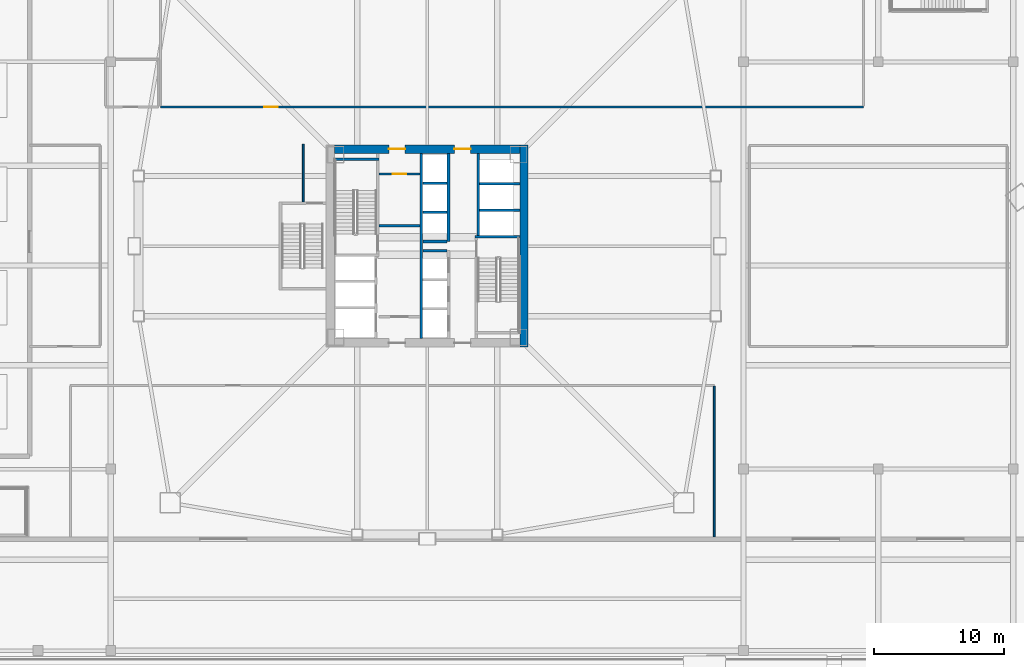
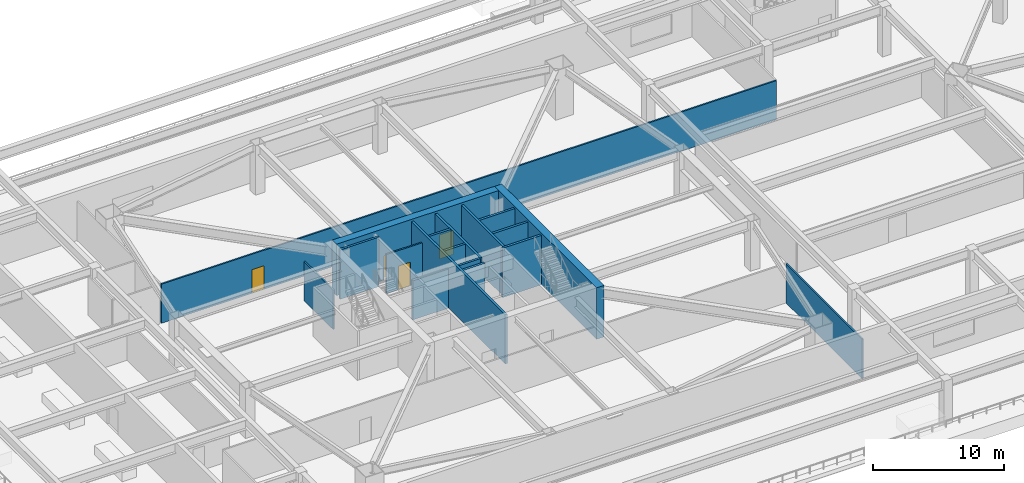
# One storey, part 7 of 21: 18 walls, 4 doors, 4 openings.
"""IFC4 building model written with IfcOpenShell, lengths in metres."""

from ifc_helpers import new_model, si_unit, direction, frame, frame_2d, origin, place, context, subcontext, project, spatial, rectangle, extrude, material, layer, layer_set, type_object, element, fill, save


model = new_model("IFC4")

# Units and contexts
model_context = context("Model", 3, precision=1e-05, world=origin(), true_north=direction((0.0, 1.0)))
body_context = subcontext(model_context, "Body", "Model", "MODEL_VIEW")
ifc_project = project(units=[si_unit("LENGTHUNIT", "METRE"), si_unit("AREAUNIT", "SQUARE_METRE"), si_unit("VOLUMEUNIT", "CUBIC_METRE"), si_unit("PLANEANGLEUNIT", "RADIAN"), si_unit("MASSUNIT", "GRAM", prefix="KILO")], contexts=[model_context])

# Site, building, storey
site_placement = place(None, origin())
site = spatial("IfcSite", under=ifc_project, at=site_placement, CompositionType="ELEMENT")
building_placement = place(site_placement, origin())
building = spatial("IfcBuilding", under=site, at=building_placement, Name="Tashvorn Skyway Center", CompositionType="ELEMENT")
storey_placement = place(building_placement, frame((0.0, 0.0, 19.800048828125)))
storey = spatial("IfcBuildingStorey", under=building, at=storey_placement, Name="L04", CompositionType="ELEMENT", Elevation=19.800048828125)

# Wall
ifc_material_1 = material(Name="Concrete C60/75", Category="concrete")
ifc_layer_1 = layer(ifc_material_1, 0.64990234375)
ifc_layer_set_1 = layer_set([ifc_layer_1], Name="Concrete C60/75")
wall_type_1 = type_object("IfcWallType", Name="WALL-CORE-650", PredefinedType="SHEAR", material=ifc_layer_set_1)
wall_1_placement = place(storey_placement, frame((49.47509765625, 39.800048828125, 0.0), z_axis=(0.0, 0.0, 1.0), x_axis=(0.0, -1.0, 0.0)))
element("IfcWall", 1, at=wall_1_placement, inside=storey, type_object=wall_type_1, Name="Tower 1 L04 East Core Shear Wall", PredefinedType="SHEAR", context=body_context, shape_type="SweptSolid", body=[
    extrude(rectangle(XDim=15.60009765625, YDim=0.64990234375, at=frame_2d((7.800048828125, 0.0))), origin(), (0.0, 0.0, 1.0), 4.800048828125),
])

# Wall, openings, doors
wall_2_placement = place(storey_placement, frame((34.85009765625, 39.47509765625, 0.0), z_axis=(0.0, 0.0, 1.0), x_axis=(1.0, 0.0, 0.0)))
wall_2 = element("IfcWall", 2, at=wall_2_placement, inside=storey, type_object=wall_type_1, Name="Tower 1 L04 North Core Shear Wall", PredefinedType="SHEAR", context=body_context, shape_type="SweptSolid", body=[
    extrude(rectangle(XDim=14.2998046875, YDim=0.64990234375, at=frame_2d((7.14990234375, 0.0))), origin(), (0.0, 0.0, 1.0), 4.800048828125),
])
opening_1_placement = place(wall_2_placement, frame((4.199951171875, 0.0, 0.0)))
opening_1 = element("IfcOpeningElement", 3, at=opening_1_placement, cuts=wall_2, Name="Opening D-FFL-1250", PredefinedType="OPENING", context=body_context, shape_type="SweptSolid", body=[
    extrude(rectangle(XDim=1.25, YDim=2.25, at=frame_2d((0.625, 1.125))), frame((0.0, 0.3349609375, 0.0), z_axis=(0.0, -1.0, 0.0), x_axis=(1.0, 0.0, 0.0)), (0.0, 0.0, 1.0), 0.669921875),
])
opening_2_placement = place(wall_2_placement, frame((9.25, 0.0, 0.0)))
opening_2 = element("IfcOpeningElement", 4, at=opening_2_placement, cuts=wall_2, Name="Opening D-FFL-1250", PredefinedType="OPENING", context=body_context, shape_type="SweptSolid", body=[
    extrude(rectangle(XDim=1.25, YDim=2.25, at=frame_2d((0.625, 1.125))), frame((0.0, 0.3349609375, 0.0), z_axis=(0.0, -1.0, 0.0), x_axis=(1.0, 0.0, 0.0)), (0.0, 0.0, 1.0), 0.669921875),
])
ifc_material_2 = material(Name="Hollow galvanized steel fire door assembly", Category="steel")
door_type_1 = type_object("IfcDoorType", Name="DOOR-FFL-1250", OperationType="NOTDEFINED", PredefinedType="DOOR", material=ifc_material_2)
door_1_placement = place(opening_1_placement, origin())
door_1 = element("IfcDoor", 5, at=door_1_placement, inside=storey, type_object=door_type_1, Name="Tower 1 L04 Core North Service Lobby Door", OperationType="SINGLE_SWING_LEFT", OverallHeight=2.25, OverallWidth=1.25, PredefinedType="DOOR", context=body_context, shape_type="SweptSolid", body=[
    extrude(rectangle(XDim=1.25, YDim=2.25, at=frame_2d((0.625, 1.125))), frame((0.0, 0.02490234375, 0.0), z_axis=(0.0, -1.0, 0.0), x_axis=(1.0, 0.0, 0.0)), (0.0, 0.0, 1.0), 0.050048828125),
])
fill(opening_1, door_1)
door_2_placement = place(opening_2_placement, origin())
door_2 = element("IfcDoor", 6, at=door_2_placement, inside=storey, type_object=door_type_1, Name="Tower 1 L04 Core North Lift Lobby Door", OperationType="SINGLE_SWING_RIGHT", OverallHeight=2.25, OverallWidth=1.25, PredefinedType="DOOR", context=body_context, shape_type="SweptSolid", body=[
    extrude(rectangle(XDim=1.25, YDim=2.25, at=frame_2d((0.625, 1.125))), frame((0.0, 0.02490234375, 0.0), z_axis=(0.0, -1.0, 0.0), x_axis=(1.0, 0.0, 0.0)), (0.0, 0.0, 1.0), 0.050048828125),
])
fill(opening_2, door_2)

# Walls
ifc_material_3 = material(Name="Concrete C40/50", Category="concrete")
ifc_layer_2 = layer(ifc_material_3, 0.219970703125)
ifc_layer_set_2 = layer_set([ifc_layer_2], Name="Concrete C40/50")
wall_type_2 = type_object("IfcWallType", Name="WALL-FFL-220", PredefinedType="SOLIDWALL", material=ifc_layer_set_2)
wall_3_placement = place(storey_placement, frame((38.300048828125, 33.56005859375, 0.0), z_axis=(0.0, 0.0, 1.0), x_axis=(1.0, 0.0, 0.0)))
element("IfcWall", 7, at=wall_3_placement, inside=storey, type_object=wall_type_2, Name="Tower 1 L04 Firefighting Lobby North Wall", PredefinedType="SOLIDWALL", context=body_context, shape_type="SweptSolid", body=[
    extrude(rectangle(XDim=3.14990234375, YDim=0.219970703125, at=frame_2d((1.574951171875, 0.0))), origin(), (0.0, 0.0, 1.0), 3.64306640625),
])
ifc_material_4 = material(Name="Gypsum board on cold-formed steel stud framing", Category="steel")
ifc_layer_3 = layer(ifc_material_4, 0.135009765625)
ifc_layer_set_3 = layer_set([ifc_layer_3], Name="Gypsum board on cold-formed steel stud framing")
wall_type_3 = type_object("IfcWallType", Name="WALL-PART-135", PredefinedType="PARTITIONING", material=ifc_layer_set_3)
wall_4_placement = place(storey_placement, frame((32.449951171875, 35.39990234375, 0.0), z_axis=(0.0, 0.0, 1.0), x_axis=(0.0, 1.0, 0.0)))
element("IfcWall", 8, at=wall_4_placement, inside=storey, type_object=wall_type_3, Name="Tower 1 L04 Stair 3 Access Corridor Wall", PredefinedType="PARTITIONING", context=body_context, shape_type="SweptSolid", body=[
    extrude(rectangle(XDim=4.4501953125, YDim=0.135009765625, at=frame_2d((2.22509765625, 0.0))), origin(), (0.0, 0.0, 1.0), 3.64306640625),
])

# Wall, opening, door
wall_5_placement = place(storey_placement, frame((21.449951171875, 42.719970703125, 0.0), z_axis=(0.0, 0.0, 1.0), x_axis=(1.0, 0.0, 0.0)))
wall_5 = element("IfcWall", 9, at=wall_5_placement, inside=storey, type_object=wall_type_3, Name="L04 North Suite Wall", PredefinedType="PARTITIONING", context=body_context, shape_type="SweptSolid", body=[
    extrude(rectangle(XDim=54.199951171875, YDim=0.135009765625, at=frame_2d((27.10009765625, 0.0))), origin(), (0.0, 0.0, 1.0), 3.64306640625),
])
opening_3_placement = place(wall_5_placement, frame((8.0, 0.0, 0.0)))
opening_3 = element("IfcOpeningElement", 10, at=opening_3_placement, cuts=wall_5, Name="Opening D-ACC-1050", PredefinedType="OPENING", context=body_context, shape_type="SweptSolid", body=[
    extrude(rectangle(XDim=1.050048828125, YDim=2.199951171875, at=frame_2d((0.52490234375, 1.10009765625))), frame((0.0, 0.077392578125, 0.0), z_axis=(0.0, -1.0, 0.0), x_axis=(1.0, 0.0, 0.0)), (0.0, 0.0, 1.0), 0.155029296875),
])
ifc_material_5 = material(Name="Solid-core architectural oak veneer door")
door_type_2 = type_object("IfcDoorType", Name="DOOR-ACC-1050", OperationType="NOTDEFINED", PredefinedType="DOOR", material=ifc_material_5)
door_3_placement = place(opening_3_placement, origin())
door_3 = element("IfcDoor", 11, at=door_3_placement, inside=storey, type_object=door_type_2, Name="L04 Corporate Archive Library Door", OperationType="SINGLE_SWING_RIGHT", OverallHeight=2.199951171875, OverallWidth=1.050048828125, PredefinedType="DOOR", context=body_context, shape_type="SweptSolid", body=[
    extrude(rectangle(XDim=1.050048828125, YDim=2.199951171875, at=frame_2d((0.52490234375, 1.10009765625))), frame((0.0, 0.02490234375, 0.0), z_axis=(0.0, -1.0, 0.0), x_axis=(1.0, 0.0, 0.0)), (0.0, 0.0, 1.0), 0.050048828125),
])
fill(opening_3, door_3)

# Wall
wall_6_placement = place(storey_placement, frame((64.14990234375, 9.580078125, 0.0), z_axis=(0.0, 0.0, 1.0), x_axis=(0.0, 1.0, 0.0)))
element("IfcWall", 12, at=wall_6_placement, inside=storey, type_object=wall_type_3, Name="L04 South Suite East Wall", PredefinedType="PARTITIONING", context=body_context, shape_type="SweptSolid", body=[
    extrude(rectangle(XDim=11.619873046875, YDim=0.135009765625, at=frame_2d((5.81005859375, 0.0))), origin(), (0.0, 0.0, 1.0), 3.64306640625),
])

# Wall, opening, door
ifc_layer_4 = layer(ifc_material_4, 0.135009765625)
ifc_layer_set_4 = layer_set([ifc_layer_4], Name="Gypsum board on cold-formed steel stud framing")
wall_type_4 = type_object("IfcWallType", Name="WALL-RATED-135", PredefinedType="PARTITIONING", material=ifc_layer_set_4)
wall_7_placement = place(storey_placement, frame((38.300048828125, 37.550048828125, 0.0), z_axis=(0.0, 0.0, 1.0), x_axis=(1.0, 0.0, 0.0)))
wall_7 = element("IfcWall", 13, at=wall_7_placement, inside=storey, type_object=wall_type_4, Name="Tower 1 L04 Core Service Lobby Wall", PredefinedType="PARTITIONING", context=body_context, shape_type="SweptSolid", body=[
    extrude(rectangle(XDim=3.14990234375, YDim=0.135009765625, at=frame_2d((1.574951171875, 0.0))), origin(), (0.0, 0.0, 1.0), 3.64306640625),
])
opening_4_placement = place(wall_7_placement, frame((1.050048828125, 0.0, 0.0)))
opening_4 = element("IfcOpeningElement", 14, at=opening_4_placement, cuts=wall_7, Name="Opening D-RT-1050", PredefinedType="OPENING", context=body_context, shape_type="SweptSolid", body=[
    extrude(rectangle(XDim=1.050048828125, YDim=2.199951171875, at=frame_2d((0.52490234375, 1.10009765625))), frame((0.0, 0.077392578125, 0.0), z_axis=(0.0, -1.0, 0.0), x_axis=(1.0, 0.0, 0.0)), (0.0, 0.0, 1.0), 0.155029296875),
])
door_type_3 = type_object("IfcDoorType", Name="DOOR-RATED-1050", OperationType="NOTDEFINED", PredefinedType="DOOR", material=ifc_material_2)
door_4_placement = place(opening_4_placement, origin())
door_4 = element("IfcDoor", 15, at=door_4_placement, inside=storey, type_object=door_type_3, Name="Tower 1 L04 Core Accessible WC Door", OperationType="SINGLE_SWING_LEFT", OverallHeight=2.199951171875, OverallWidth=1.050048828125, PredefinedType="DOOR", context=body_context, shape_type="SweptSolid", body=[
    extrude(rectangle(XDim=1.050048828125, YDim=2.199951171875, at=frame_2d((0.52490234375, 1.10009765625))), frame((0.0, 0.02490234375, 0.0), z_axis=(0.0, -1.0, 0.0), x_axis=(1.0, 0.0, 0.0)), (0.0, 0.0, 1.0), 0.050048828125),
])
fill(opening_4, door_4)

# Walls
ifc_layer_5 = layer(ifc_material_3, 0.199951171875)
ifc_layer_set_5 = layer_set([ifc_layer_5], Name="Concrete C40/50")
wall_type_5 = type_object("IfcWallType", Name="WALL-SHAFT-200", PredefinedType="SOLIDWALL", material=ifc_layer_set_5)
for number, where, z_axis, x_axis, name in (
    (16, (46.050048828125, 34.75, 0.0), (0.0, 0.0, 1.0), (1.0, 0.0, 0.0), "Tower 1 L04 High-Rise Shaft Divider"),
    (17, (46.050048828125, 36.800048828125, 0.0), (0.0, 0.0, 1.0), (1.0, 0.0, 0.0), "Tower 1 L04 High-Rise Shaft Divider"),
):
    element("IfcWall", number, at=place(storey_placement, frame(where, z_axis=z_axis, x_axis=x_axis)), inside=storey, type_object=wall_type_5, Name=name, PredefinedType="SOLIDWALL", context=body_context, shape_type="SweptSolid", body=[
        extrude(rectangle(XDim=3.099853515625, YDim=0.199951171875, at=frame_2d((1.5498046875, 0.0))), origin(), (0.0, 0.0, 1.0), 4.599853515625),
    ])
wall_8_placement = place(storey_placement, frame((41.669921875, 31.64990234375, 0.0), z_axis=(0.0, 0.0, 1.0), x_axis=(1.0, 0.0, 0.0)))
element("IfcWall", 18, at=wall_8_placement, inside=storey, type_object=wall_type_5, Name="Tower 1 L04 Low-Rise Shaft Divider", PredefinedType="SOLIDWALL", context=body_context, shape_type="SweptSolid", body=[
    extrude(rectangle(XDim=1.880126953125, YDim=0.199951171875, at=frame_2d((0.93994140625, 0.0))), origin(), (0.0, 0.0, 1.0), 4.599853515625),
])
wall_9_placement = place(storey_placement, frame((43.64990234375, 32.35009765625, 0.0), z_axis=(0.0, 0.0, 1.0), x_axis=(0.0, 1.0, 0.0)))
element("IfcWall", 19, at=wall_9_placement, inside=storey, type_object=wall_type_5, Name="Tower 1 L04 Mid-Rise Core Wall", PredefinedType="SOLIDWALL", context=body_context, shape_type="SweptSolid", body=[
    extrude(rectangle(XDim=6.7998046875, YDim=0.199951171875, at=frame_2d((3.39990234375, 0.0))), origin(), (0.0, 0.0, 1.0), 4.599853515625),
])
for number, where, z_axis, x_axis, name in (
    (20, (41.669921875, 32.35009765625, 0.0), (0.0, 0.0, 1.0), (1.0, 0.0, 0.0), "Tower 1 L04 Mid-Rise Shaft Divider"),
    (21, (41.669921875, 34.60009765625, 0.0), (0.0, 0.0, 1.0), (1.0, 0.0, 0.0), "Tower 1 L04 Mid-Rise Shaft Divider"),
    (22, (41.669921875, 36.85009765625, 0.0), (0.0, 0.0, 1.0), (1.0, 0.0, 0.0), "Tower 1 L04 Mid-Rise Shaft Divider"),
):
    element("IfcWall", number, at=place(storey_placement, frame(where, z_axis=z_axis, x_axis=x_axis)), inside=storey, type_object=wall_type_5, Name=name, PredefinedType="SOLIDWALL", context=body_context, shape_type="SweptSolid", body=[
        extrude(rectangle(XDim=1.880126953125, YDim=0.199951171875, at=frame_2d((0.93994140625, 0.0))), origin(), (0.0, 0.0, 1.0), 4.599853515625),
    ])
ifc_layer_6 = layer(ifc_material_3, 0.199951171875)
ifc_layer_set_6 = layer_set([ifc_layer_6], Name="Concrete C40/50")
wall_type_6 = type_object("IfcWallType", Name="WALL-STSHF-200", PredefinedType="SHEAR", material=ifc_layer_set_6)
for number, where, z_axis, x_axis, name in (
    (23, (34.85009765625, 38.699951171875, 0.0), (0.0, 0.0, 1.0), (1.0, 0.0, 0.0), "Tower 1 L04 Stair 1 North Wall"),
    (24, (45.699951171875, 32.699951171875, 0.0), (0.0, 0.0, 1.0), (1.0, 0.0, 0.0), "Tower 1 L04 Stair 2 North Wall"),
):
    element("IfcWall", number, at=place(storey_placement, frame(where, z_axis=z_axis, x_axis=x_axis)), inside=storey, type_object=wall_type_6, Name=name, PredefinedType="SHEAR", context=body_context, shape_type="SweptSolid", body=[
        extrude(rectangle(XDim=3.449951171875, YDim=0.199951171875, at=frame_2d((1.72509765625, 0.0))), origin(), (0.0, 0.0, 1.0), 4.599853515625),
    ])
wall_10_placement = place(storey_placement, frame((41.56005859375, 24.85009765625, 0.0), z_axis=(0.0, 0.0, 1.0), x_axis=(0.0, 1.0, 0.0)))
element("IfcWall", 25, at=wall_10_placement, inside=storey, type_object=wall_type_6, Name="Tower 1 L04 Firefighting Lobby East Smoke Barrier", PredefinedType="SHEAR", context=body_context, shape_type="SweptSolid", body=[
    extrude(rectangle(XDim=14.2998046875, YDim=0.199951171875, at=frame_2d((7.14990234375, 0.0))), origin(), (0.0, 0.0, 1.0), 4.599853515625),
])
wall_11_placement = place(storey_placement, frame((45.949951171875, 39.14990234375, 0.0), z_axis=(0.0, 0.0, 1.0), x_axis=(0.0, -1.0, 0.0)))
element("IfcWall", 26, at=wall_11_placement, inside=storey, type_object=wall_type_6, Name="Tower 1 L04 High-Rise Lift Shaft Front Wall", PredefinedType="SHEAR", context=body_context, shape_type="SweptSolid", body=[
    extrude(rectangle(XDim=6.349853515625, YDim=0.199951171875, at=frame_2d((3.1748046875, 0.0))), origin(), (0.0, 0.0, 1.0), 4.599853515625),
])

save(model, "model.ifc")
